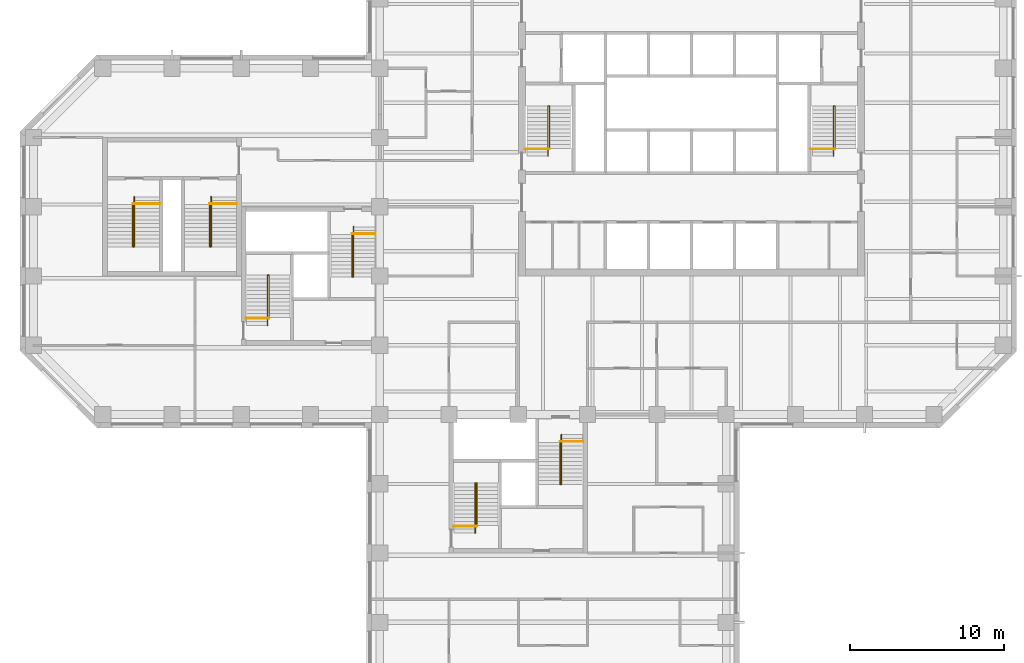
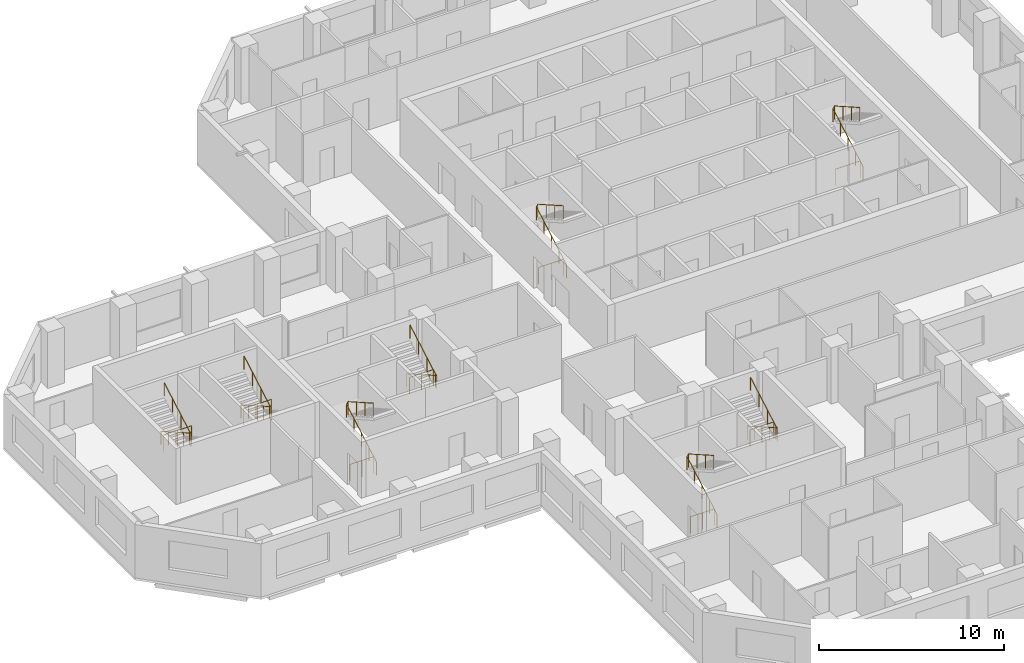
# One storey, part 11 of 11: 16 railings.
"""IFC4 building model written with IfcOpenShell, lengths in metres."""

from ifc_helpers import new_model, si_unit, direction, frame, origin, origin_2d, place, context, subcontext, project, spatial, circle, extrude, material, type_object, element, save


model = new_model("IFC4")

# Units and contexts
model_context = context("Model", 3, precision=1e-05, world=origin(), true_north=direction((0.0, 1.0)))
body_context = subcontext(model_context, "Body", "Model", "MODEL_VIEW")
ifc_project = project(units=[si_unit("LENGTHUNIT", "METRE"), si_unit("AREAUNIT", "SQUARE_METRE"), si_unit("VOLUMEUNIT", "CUBIC_METRE"), si_unit("PLANEANGLEUNIT", "RADIAN"), si_unit("MASSUNIT", "GRAM", prefix="KILO")], contexts=[model_context])

# Site, building, storey
site_placement = place(None, origin())
site = spatial("IfcSite", under=ifc_project, at=site_placement, CompositionType="ELEMENT")
building_placement = place(site_placement, origin())
building = spatial("IfcBuilding", under=site, at=building_placement, Name="Quoin Convention Tower", CompositionType="ELEMENT")
storey_placement = place(building_placement, frame((0.0, 0.0, 78.89990234375)))
storey = spatial("IfcBuildingStorey", under=building, at=storey_placement, Name="L20", CompositionType="ELEMENT", Elevation=78.89990234375)

# Railings
ifc_material = material(Name="Stainless steel", Category="steel")
railing_type_1 = type_object("IfcRailingType", Name="Stair handrail 900", PredefinedType="HANDRAIL", material=ifc_material)
railing_1_placement = place(storey_placement, frame((46.929931640625, 57.300048828125, 0.142333984375)))
element("IfcRailing", 1, at=railing_1_placement, inside=storey, type_object=railing_type_1, Name="SD1 handrail 1", PredefinedType="HANDRAIL", context=body_context, shape_type="SweptSolid", body=[
    extrude(circle(Radius=0.02392578125, at=origin_2d()), frame((0.0, 0.0, 0.8759765625), z_axis=(0.0, 0.869053504361, 0.494718108177), x_axis=(-1.0, 0.0, 0.0)), (0.0, 0.0, 1.0), 3.73974609375),
    extrude(circle(Radius=0.02392578125, at=origin_2d()), frame((0.0, 3.25, 2.72607421875), z_axis=(0.53481069233, 0.0, 0.844971906852), x_axis=(0.0, 1.0, 0.0)), (0.0, 0.0, 1.0), 0.16845703125),
    extrude(circle(Radius=0.02392578125, at=origin_2d()), frame((0.090087890625, 3.25, 2.8681640625), z_axis=(0.0, -0.869058607571, 0.494709143443), x_axis=(1.0, 0.0, 0.0)), (0.0, 0.0, 1.0), 3.164306640625),
    extrude(circle(Radius=0.02099609375, at=origin_2d()), origin(), (0.0, 0.0, 1.0), 0.851806640625),
    extrude(circle(Radius=0.02099609375, at=origin_2d()), frame((0.0, 0.8125, 0.46240234375)), (0.0, 0.0, 1.0), 0.851806640625),
    extrude(circle(Radius=0.02099609375, at=origin_2d()), frame((0.0, 1.625, 0.925048828125)), (0.0, 0.0, 1.0), 0.851806640625),
    extrude(circle(Radius=0.02099609375, at=origin_2d()), frame((0.0, 2.4375, 1.3876953125)), (0.0, 0.0, 1.0), 0.851806640625),
    extrude(circle(Radius=0.02099609375, at=origin_2d()), frame((0.0, 3.25, 1.85009765625)), (0.0, 0.0, 1.0), 0.851806640625),
    extrude(circle(Radius=0.02099609375, at=origin_2d()), frame((0.090087890625, 3.25, 1.992431640625)), (0.0, 0.0, 1.0), 0.851806640625),
    extrude(circle(Radius=0.02099609375, at=origin_2d()), frame((0.090087890625, 2.333251953125, 2.51416015625)), (0.0, 0.0, 1.0), 0.851806640625),
    extrude(circle(Radius=0.02099609375, at=origin_2d()), frame((0.090087890625, 1.416748046875, 3.0361328125)), (0.0, 0.0, 1.0), 0.851806640625),
    extrude(circle(Radius=0.02099609375, at=origin_2d()), frame((0.090087890625, 0.5, 3.557861328125)), (0.0, 0.0, 1.0), 0.851806640625),
])
railing_2_placement = place(storey_placement, frame((65.47998046875, 57.300048828125, 0.142333984375)))
element("IfcRailing", 2, at=railing_2_placement, inside=storey, type_object=railing_type_1, Name="SD2 handrail 1", PredefinedType="HANDRAIL", context=body_context, shape_type="SweptSolid", body=[
    extrude(circle(Radius=0.02392578125, at=origin_2d()), frame((0.0, 0.0, 0.8759765625), z_axis=(0.0, 0.869053504361, 0.494718108177), x_axis=(-1.0, 0.0, 0.0)), (0.0, 0.0, 1.0), 3.73974609375),
    extrude(circle(Radius=0.02392578125, at=origin_2d()), frame((0.0, 3.25, 2.72607421875), z_axis=(0.53481069233, 0.0, 0.844971906852), x_axis=(0.0, 1.0, 0.0)), (0.0, 0.0, 1.0), 0.16845703125),
    extrude(circle(Radius=0.02392578125, at=origin_2d()), frame((0.090087890625, 3.25, 2.8681640625), z_axis=(0.0, -0.869058607571, 0.494709143443), x_axis=(1.0, 0.0, 0.0)), (0.0, 0.0, 1.0), 3.164306640625),
    extrude(circle(Radius=0.02099609375, at=origin_2d()), origin(), (0.0, 0.0, 1.0), 0.851806640625),
    extrude(circle(Radius=0.02099609375, at=origin_2d()), frame((0.0, 0.8125, 0.46240234375)), (0.0, 0.0, 1.0), 0.851806640625),
    extrude(circle(Radius=0.02099609375, at=origin_2d()), frame((0.0, 1.625, 0.925048828125)), (0.0, 0.0, 1.0), 0.851806640625),
    extrude(circle(Radius=0.02099609375, at=origin_2d()), frame((0.0, 2.4375, 1.3876953125)), (0.0, 0.0, 1.0), 0.851806640625),
    extrude(circle(Radius=0.02099609375, at=origin_2d()), frame((0.0, 3.25, 1.85009765625)), (0.0, 0.0, 1.0), 0.851806640625),
    extrude(circle(Radius=0.02099609375, at=origin_2d()), frame((0.090087890625, 3.25, 1.992431640625)), (0.0, 0.0, 1.0), 0.851806640625),
    extrude(circle(Radius=0.02099609375, at=origin_2d()), frame((0.090087890625, 2.333251953125, 2.51416015625)), (0.0, 0.0, 1.0), 0.851806640625),
    extrude(circle(Radius=0.02099609375, at=origin_2d()), frame((0.090087890625, 1.416748046875, 3.0361328125)), (0.0, 0.0, 1.0), 0.851806640625),
    extrude(circle(Radius=0.02099609375, at=origin_2d()), frame((0.090087890625, 0.5, 3.557861328125)), (0.0, 0.0, 1.0), 0.851806640625),
])
railing_3_placement = place(storey_placement, frame((28.705078125, 46.300048828125, 0.142333984375)))
element("IfcRailing", 3, at=railing_3_placement, inside=storey, type_object=railing_type_1, Name="SD3 handrail 1", PredefinedType="HANDRAIL", context=body_context, shape_type="SweptSolid", body=[
    extrude(circle(Radius=0.02392578125, at=origin_2d()), frame((0.0, 0.0, 0.8759765625), z_axis=(0.0, 0.869053504361, 0.494718108177), x_axis=(-1.0, 0.0, 0.0)), (0.0, 0.0, 1.0), 3.73974609375),
    extrude(circle(Radius=0.02392578125, at=origin_2d()), frame((0.0, 3.25, 2.72607421875), z_axis=(0.533774684331, 0.0, 0.845626741753), x_axis=(0.0, 1.0, 0.0)), (0.0, 0.0, 1.0), 0.168212890625),
    extrude(circle(Radius=0.02392578125, at=origin_2d()), frame((0.08984375, 3.25, 2.8681640625), z_axis=(0.0, -0.869058607571, 0.494709143443), x_axis=(1.0, 0.0, 0.0)), (0.0, 0.0, 1.0), 3.164306640625),
    extrude(circle(Radius=0.02099609375, at=origin_2d()), origin(), (0.0, 0.0, 1.0), 0.851806640625),
    extrude(circle(Radius=0.02099609375, at=origin_2d()), frame((0.0, 0.8125, 0.46240234375)), (0.0, 0.0, 1.0), 0.851806640625),
    extrude(circle(Radius=0.02099609375, at=origin_2d()), frame((0.0, 1.625, 0.925048828125)), (0.0, 0.0, 1.0), 0.851806640625),
    extrude(circle(Radius=0.02099609375, at=origin_2d()), frame((0.0, 2.4375, 1.3876953125)), (0.0, 0.0, 1.0), 0.851806640625),
    extrude(circle(Radius=0.02099609375, at=origin_2d()), frame((0.0, 3.25, 1.85009765625)), (0.0, 0.0, 1.0), 0.851806640625),
    extrude(circle(Radius=0.02099609375, at=origin_2d()), frame((0.08984375, 3.25, 1.992431640625)), (0.0, 0.0, 1.0), 0.851806640625),
    extrude(circle(Radius=0.02099609375, at=origin_2d()), frame((0.08984375, 2.333251953125, 2.51416015625)), (0.0, 0.0, 1.0), 0.851806640625),
    extrude(circle(Radius=0.02099609375, at=origin_2d()), frame((0.08984375, 1.416748046875, 3.0361328125)), (0.0, 0.0, 1.0), 0.851806640625),
    extrude(circle(Radius=0.02099609375, at=origin_2d()), frame((0.08984375, 0.5, 3.557861328125)), (0.0, 0.0, 1.0), 0.851806640625),
])
railing_4_placement = place(storey_placement, frame((34.294921875, 52.699951171875, 0.142333984375)))
element("IfcRailing", 4, at=railing_4_placement, inside=storey, type_object=railing_type_1, Name="SD4 handrail 1", PredefinedType="HANDRAIL", context=body_context, shape_type="SweptSolid", body=[
    extrude(circle(Radius=0.02392578125, at=origin_2d()), frame((0.0, 0.0, 0.8759765625), z_axis=(0.0, -0.869053504361, 0.494718108177), x_axis=(1.0, 0.0, 0.0)), (0.0, 0.0, 1.0), 3.73974609375),
    extrude(circle(Radius=0.02392578125, at=origin_2d()), frame((0.0, -3.25, 2.72607421875), z_axis=(-0.533774684331, 0.0, 0.845626741753), x_axis=(0.0, -1.0, 0.0)), (0.0, 0.0, 1.0), 0.168212890625),
    extrude(circle(Radius=0.02392578125, at=origin_2d()), frame((-0.08984375, -3.25, 2.8681640625), z_axis=(0.0, 0.869058607571, 0.494709143443), x_axis=(-1.0, 0.0, 0.0)), (0.0, 0.0, 1.0), 3.164306640625),
    extrude(circle(Radius=0.02099609375, at=origin_2d()), origin(), (0.0, 0.0, 1.0), 0.851806640625),
    extrude(circle(Radius=0.02099609375, at=origin_2d()), frame((0.0, -0.8125, 0.46240234375)), (0.0, 0.0, 1.0), 0.851806640625),
    extrude(circle(Radius=0.02099609375, at=origin_2d()), frame((0.0, -1.625, 0.925048828125)), (0.0, 0.0, 1.0), 0.851806640625),
    extrude(circle(Radius=0.02099609375, at=origin_2d()), frame((0.0, -2.4375, 1.3876953125)), (0.0, 0.0, 1.0), 0.851806640625),
    extrude(circle(Radius=0.02099609375, at=origin_2d()), frame((0.0, -3.25, 1.85009765625)), (0.0, 0.0, 1.0), 0.851806640625),
    extrude(circle(Radius=0.02099609375, at=origin_2d()), frame((-0.08984375, -3.25, 1.992431640625)), (0.0, 0.0, 1.0), 0.851806640625),
    extrude(circle(Radius=0.02099609375, at=origin_2d()), frame((-0.08984375, -2.333251953125, 2.51416015625)), (0.0, 0.0, 1.0), 0.851806640625),
    extrude(circle(Radius=0.02099609375, at=origin_2d()), frame((-0.08984375, -1.416748046875, 3.0361328125)), (0.0, 0.0, 1.0), 0.851806640625),
    extrude(circle(Radius=0.02099609375, at=origin_2d()), frame((-0.08984375, -0.5, 3.557861328125)), (0.0, 0.0, 1.0), 0.851806640625),
])
railing_5_placement = place(storey_placement, frame((42.205078125, 32.800048828125, 0.142333984375)))
element("IfcRailing", 5, at=railing_5_placement, inside=storey, type_object=railing_type_1, Name="SD5 handrail 1", PredefinedType="HANDRAIL", context=body_context, shape_type="SweptSolid", body=[
    extrude(circle(Radius=0.02392578125, at=origin_2d()), frame((0.0, 0.0, 0.8759765625), z_axis=(0.0, 0.869053504361, 0.494718108177), x_axis=(-1.0, 0.0, 0.0)), (0.0, 0.0, 1.0), 3.73974609375),
    extrude(circle(Radius=0.02392578125, at=origin_2d()), frame((0.0, 3.25, 2.72607421875), z_axis=(0.533774684331, 0.0, 0.845626741753), x_axis=(0.0, 1.0, 0.0)), (0.0, 0.0, 1.0), 0.168212890625),
    extrude(circle(Radius=0.02392578125, at=origin_2d()), frame((0.08984375, 3.25, 2.8681640625), z_axis=(0.0, -0.869058607571, 0.494709143443), x_axis=(1.0, 0.0, 0.0)), (0.0, 0.0, 1.0), 3.164306640625),
    extrude(circle(Radius=0.02099609375, at=origin_2d()), origin(), (0.0, 0.0, 1.0), 0.851806640625),
    extrude(circle(Radius=0.02099609375, at=origin_2d()), frame((0.0, 0.8125, 0.46240234375)), (0.0, 0.0, 1.0), 0.851806640625),
    extrude(circle(Radius=0.02099609375, at=origin_2d()), frame((0.0, 1.625, 0.925048828125)), (0.0, 0.0, 1.0), 0.851806640625),
    extrude(circle(Radius=0.02099609375, at=origin_2d()), frame((0.0, 2.4375, 1.3876953125)), (0.0, 0.0, 1.0), 0.851806640625),
    extrude(circle(Radius=0.02099609375, at=origin_2d()), frame((0.0, 3.25, 1.85009765625)), (0.0, 0.0, 1.0), 0.851806640625),
    extrude(circle(Radius=0.02099609375, at=origin_2d()), frame((0.08984375, 3.25, 1.992431640625)), (0.0, 0.0, 1.0), 0.851806640625),
    extrude(circle(Radius=0.02099609375, at=origin_2d()), frame((0.08984375, 2.333251953125, 2.51416015625)), (0.0, 0.0, 1.0), 0.851806640625),
    extrude(circle(Radius=0.02099609375, at=origin_2d()), frame((0.08984375, 1.416748046875, 3.0361328125)), (0.0, 0.0, 1.0), 0.851806640625),
    extrude(circle(Radius=0.02099609375, at=origin_2d()), frame((0.08984375, 0.5, 3.557861328125)), (0.0, 0.0, 1.0), 0.851806640625),
])
railing_6_placement = place(storey_placement, frame((47.794921875, 39.199951171875, 0.142333984375)))
element("IfcRailing", 6, at=railing_6_placement, inside=storey, type_object=railing_type_1, Name="SD6 handrail 1", PredefinedType="HANDRAIL", context=body_context, shape_type="SweptSolid", body=[
    extrude(circle(Radius=0.02392578125, at=origin_2d()), frame((0.0, 0.0, 0.8759765625), z_axis=(0.0, -0.869053504361, 0.494718108177), x_axis=(1.0, 0.0, 0.0)), (0.0, 0.0, 1.0), 3.73974609375),
    extrude(circle(Radius=0.02392578125, at=origin_2d()), frame((0.0, -3.25, 2.72607421875), z_axis=(-0.533774684331, 0.0, 0.845626741753), x_axis=(0.0, -1.0, 0.0)), (0.0, 0.0, 1.0), 0.168212890625),
    extrude(circle(Radius=0.02392578125, at=origin_2d()), frame((-0.08984375, -3.25, 2.8681640625), z_axis=(0.0, 0.869058607571, 0.494709143443), x_axis=(-1.0, 0.0, 0.0)), (0.0, 0.0, 1.0), 3.164306640625),
    extrude(circle(Radius=0.02099609375, at=origin_2d()), origin(), (0.0, 0.0, 1.0), 0.851806640625),
    extrude(circle(Radius=0.02099609375, at=origin_2d()), frame((0.0, -0.8125, 0.46240234375)), (0.0, 0.0, 1.0), 0.851806640625),
    extrude(circle(Radius=0.02099609375, at=origin_2d()), frame((0.0, -1.625, 0.925048828125)), (0.0, 0.0, 1.0), 0.851806640625),
    extrude(circle(Radius=0.02099609375, at=origin_2d()), frame((0.0, -2.4375, 1.3876953125)), (0.0, 0.0, 1.0), 0.851806640625),
    extrude(circle(Radius=0.02099609375, at=origin_2d()), frame((0.0, -3.25, 1.85009765625)), (0.0, 0.0, 1.0), 0.851806640625),
    extrude(circle(Radius=0.02099609375, at=origin_2d()), frame((-0.08984375, -3.25, 1.992431640625)), (0.0, 0.0, 1.0), 0.851806640625),
    extrude(circle(Radius=0.02099609375, at=origin_2d()), frame((-0.08984375, -2.333251953125, 2.51416015625)), (0.0, 0.0, 1.0), 0.851806640625),
    extrude(circle(Radius=0.02099609375, at=origin_2d()), frame((-0.08984375, -1.416748046875, 3.0361328125)), (0.0, 0.0, 1.0), 0.851806640625),
    extrude(circle(Radius=0.02099609375, at=origin_2d()), frame((-0.08984375, -0.5, 3.557861328125)), (0.0, 0.0, 1.0), 0.851806640625),
])
railing_7_placement = place(storey_placement, frame((20.044921875, 54.64990234375, 0.142333984375)))
element("IfcRailing", 7, at=railing_7_placement, inside=storey, type_object=railing_type_1, Name="SD11 handrail 1", PredefinedType="HANDRAIL", context=body_context, shape_type="SweptSolid", body=[
    extrude(circle(Radius=0.02392578125, at=origin_2d()), frame((0.0, 0.0, 0.8759765625), z_axis=(0.0, -0.869053504361, 0.494718108177), x_axis=(1.0, 0.0, 0.0)), (0.0, 0.0, 1.0), 3.73974609375),
    extrude(circle(Radius=0.02392578125, at=origin_2d()), frame((0.0, -3.25, 2.72607421875), z_axis=(-0.533774684331, 0.0, 0.845626741753), x_axis=(0.0, -1.0, 0.0)), (0.0, 0.0, 1.0), 0.168212890625),
    extrude(circle(Radius=0.02392578125, at=origin_2d()), frame((-0.08984375, -3.25, 2.8681640625), z_axis=(0.0, 0.869058607571, 0.494709143443), x_axis=(-1.0, 0.0, 0.0)), (0.0, 0.0, 1.0), 3.164306640625),
    extrude(circle(Radius=0.02099609375, at=origin_2d()), origin(), (0.0, 0.0, 1.0), 0.851806640625),
    extrude(circle(Radius=0.02099609375, at=origin_2d()), frame((0.0, -0.8125, 0.46240234375)), (0.0, 0.0, 1.0), 0.851806640625),
    extrude(circle(Radius=0.02099609375, at=origin_2d()), frame((0.0, -1.625, 0.925048828125)), (0.0, 0.0, 1.0), 0.851806640625),
    extrude(circle(Radius=0.02099609375, at=origin_2d()), frame((0.0, -2.4375, 1.3876953125)), (0.0, 0.0, 1.0), 0.851806640625),
    extrude(circle(Radius=0.02099609375, at=origin_2d()), frame((0.0, -3.25, 1.85009765625)), (0.0, 0.0, 1.0), 0.851806640625),
    extrude(circle(Radius=0.02099609375, at=origin_2d()), frame((-0.08984375, -3.25, 1.992431640625)), (0.0, 0.0, 1.0), 0.851806640625),
    extrude(circle(Radius=0.02099609375, at=origin_2d()), frame((-0.08984375, -2.333251953125, 2.51416015625)), (0.0, 0.0, 1.0), 0.851806640625),
    extrude(circle(Radius=0.02099609375, at=origin_2d()), frame((-0.08984375, -1.416748046875, 3.0361328125)), (0.0, 0.0, 1.0), 0.851806640625),
    extrude(circle(Radius=0.02099609375, at=origin_2d()), frame((-0.08984375, -0.5, 3.557861328125)), (0.0, 0.0, 1.0), 0.851806640625),
])
railing_8_placement = place(storey_placement, frame((25.044921875, 54.64990234375, 0.142333984375)))
element("IfcRailing", 8, at=railing_8_placement, inside=storey, type_object=railing_type_1, Name="SD12 handrail 1", PredefinedType="HANDRAIL", context=body_context, shape_type="SweptSolid", body=[
    extrude(circle(Radius=0.02392578125, at=origin_2d()), frame((0.0, 0.0, 0.8759765625), z_axis=(0.0, -0.869053504361, 0.494718108177), x_axis=(1.0, 0.0, 0.0)), (0.0, 0.0, 1.0), 3.73974609375),
    extrude(circle(Radius=0.02392578125, at=origin_2d()), frame((0.0, -3.25, 2.72607421875), z_axis=(-0.533774684331, 0.0, 0.845626741753), x_axis=(0.0, -1.0, 0.0)), (0.0, 0.0, 1.0), 0.168212890625),
    extrude(circle(Radius=0.02392578125, at=origin_2d()), frame((-0.08984375, -3.25, 2.8681640625), z_axis=(0.0, 0.869058607571, 0.494709143443), x_axis=(-1.0, 0.0, 0.0)), (0.0, 0.0, 1.0), 3.164306640625),
    extrude(circle(Radius=0.02099609375, at=origin_2d()), origin(), (0.0, 0.0, 1.0), 0.851806640625),
    extrude(circle(Radius=0.02099609375, at=origin_2d()), frame((0.0, -0.8125, 0.46240234375)), (0.0, 0.0, 1.0), 0.851806640625),
    extrude(circle(Radius=0.02099609375, at=origin_2d()), frame((0.0, -1.625, 0.925048828125)), (0.0, 0.0, 1.0), 0.851806640625),
    extrude(circle(Radius=0.02099609375, at=origin_2d()), frame((0.0, -2.4375, 1.3876953125)), (0.0, 0.0, 1.0), 0.851806640625),
    extrude(circle(Radius=0.02099609375, at=origin_2d()), frame((0.0, -3.25, 1.85009765625)), (0.0, 0.0, 1.0), 0.851806640625),
    extrude(circle(Radius=0.02099609375, at=origin_2d()), frame((-0.08984375, -3.25, 1.992431640625)), (0.0, 0.0, 1.0), 0.851806640625),
    extrude(circle(Radius=0.02099609375, at=origin_2d()), frame((-0.08984375, -2.333251953125, 2.51416015625)), (0.0, 0.0, 1.0), 0.851806640625),
    extrude(circle(Radius=0.02099609375, at=origin_2d()), frame((-0.08984375, -1.416748046875, 3.0361328125)), (0.0, 0.0, 1.0), 0.851806640625),
    extrude(circle(Radius=0.02099609375, at=origin_2d()), frame((-0.08984375, -0.5, 3.557861328125)), (0.0, 0.0, 1.0), 0.851806640625),
])
railing_type_2 = type_object("IfcRailingType", Name="Stair top guard 1100", PredefinedType="GUARDRAIL", material=ifc_material)
for number, where, name in (
    (9, (45.449951171875, 57.75, 0.0), "SD1 top guard"),
    (10, (64.0, 57.75, 0.0), "SD2 top guard"),
):
    element("IfcRailing", number, at=place(storey_placement, frame(where)), inside=storey, type_object=railing_type_2, Name=name, PredefinedType="GUARDRAIL", context=body_context, shape_type="SweptSolid", body=[
        extrude(circle(Radius=0.02392578125, at=origin_2d()), frame((0.0, 0.0, 1.076171875), z_axis=(1.0, 0.0, 0.0), x_axis=(0.0, 1.0, 0.0)), (0.0, 0.0, 1.0), 1.570068359375),
        extrude(circle(Radius=0.02099609375, at=origin_2d()), origin(), (0.0, 0.0, 1.0), 1.052001953125),
        extrude(circle(Radius=0.02099609375, at=origin_2d()), frame((0.78515625, 0.0, 0.0)), (0.0, 0.0, 1.0), 1.052001953125),
        extrude(circle(Radius=0.02099609375, at=origin_2d()), frame((1.570068359375, 0.0, 0.0)), (0.0, 0.0, 1.0), 1.052001953125),
    ])
railing_9_placement = place(storey_placement, frame((27.300048828125, 46.75, 0.0)))
element("IfcRailing", 11, at=railing_9_placement, inside=storey, type_object=railing_type_2, Name="SD3 top guard", PredefinedType="GUARDRAIL", context=body_context, shape_type="SweptSolid", body=[
    extrude(circle(Radius=0.02392578125, at=origin_2d()), frame((0.0, 0.0, 1.076171875), z_axis=(1.0, 0.0, 0.0), x_axis=(0.0, 1.0, 0.0)), (0.0, 0.0, 1.0), 1.494873046875),
    extrude(circle(Radius=0.02099609375, at=origin_2d()), origin(), (0.0, 0.0, 1.0), 1.052001953125),
    extrude(circle(Radius=0.02099609375, at=origin_2d()), frame((0.74755859375, 0.0, 0.0)), (0.0, 0.0, 1.0), 1.052001953125),
    extrude(circle(Radius=0.02099609375, at=origin_2d()), frame((1.494873046875, 0.0, 0.0)), (0.0, 0.0, 1.0), 1.052001953125),
])
railing_10_placement = place(storey_placement, frame((35.699951171875, 52.25, 0.0)))
element("IfcRailing", 12, at=railing_10_placement, inside=storey, type_object=railing_type_2, Name="SD4 top guard", PredefinedType="GUARDRAIL", context=body_context, shape_type="SweptSolid", body=[
    extrude(circle(Radius=0.02392578125, at=origin_2d()), frame((0.0, 0.0, 1.076171875), z_axis=(-1.0, 0.0, 0.0), x_axis=(0.0, -1.0, 0.0)), (0.0, 0.0, 1.0), 1.494873046875),
    extrude(circle(Radius=0.02099609375, at=origin_2d()), origin(), (0.0, 0.0, 1.0), 1.052001953125),
    extrude(circle(Radius=0.02099609375, at=origin_2d()), frame((-0.74755859375, 0.0, 0.0)), (0.0, 0.0, 1.0), 1.052001953125),
    extrude(circle(Radius=0.02099609375, at=origin_2d()), frame((-1.494873046875, 0.0, 0.0)), (0.0, 0.0, 1.0), 1.052001953125),
])
railing_11_placement = place(storey_placement, frame((40.800048828125, 33.25, 0.0)))
element("IfcRailing", 13, at=railing_11_placement, inside=storey, type_object=railing_type_2, Name="SD5 top guard", PredefinedType="GUARDRAIL", context=body_context, shape_type="SweptSolid", body=[
    extrude(circle(Radius=0.02392578125, at=origin_2d()), frame((0.0, 0.0, 1.076171875), z_axis=(1.0, 0.0, 0.0), x_axis=(0.0, 1.0, 0.0)), (0.0, 0.0, 1.0), 1.494873046875),
    extrude(circle(Radius=0.02099609375, at=origin_2d()), origin(), (0.0, 0.0, 1.0), 1.052001953125),
    extrude(circle(Radius=0.02099609375, at=origin_2d()), frame((0.74755859375, 0.0, 0.0)), (0.0, 0.0, 1.0), 1.052001953125),
    extrude(circle(Radius=0.02099609375, at=origin_2d()), frame((1.494873046875, 0.0, 0.0)), (0.0, 0.0, 1.0), 1.052001953125),
])
railing_12_placement = place(storey_placement, frame((49.199951171875, 38.75, 0.0)))
element("IfcRailing", 14, at=railing_12_placement, inside=storey, type_object=railing_type_2, Name="SD6 top guard", PredefinedType="GUARDRAIL", context=body_context, shape_type="SweptSolid", body=[
    extrude(circle(Radius=0.02392578125, at=origin_2d()), frame((0.0, 0.0, 1.076171875), z_axis=(-1.0, 0.0, 0.0), x_axis=(0.0, -1.0, 0.0)), (0.0, 0.0, 1.0), 1.494873046875),
    extrude(circle(Radius=0.02099609375, at=origin_2d()), origin(), (0.0, 0.0, 1.0), 1.052001953125),
    extrude(circle(Radius=0.02099609375, at=origin_2d()), frame((-0.74755859375, 0.0, 0.0)), (0.0, 0.0, 1.0), 1.052001953125),
    extrude(circle(Radius=0.02099609375, at=origin_2d()), frame((-1.494873046875, 0.0, 0.0)), (0.0, 0.0, 1.0), 1.052001953125),
])
for number, where, name in (
    (15, (21.699951171875, 54.199951171875, 0.0), "SD11 top guard"),
    (16, (26.699951171875, 54.199951171875, 0.0), "SD12 top guard"),
):
    element("IfcRailing", number, at=place(storey_placement, frame(where)), inside=storey, type_object=railing_type_2, Name=name, PredefinedType="GUARDRAIL", context=body_context, shape_type="SweptSolid", body=[
        extrude(circle(Radius=0.02392578125, at=origin_2d()), frame((0.0, 0.0, 1.076171875), z_axis=(-1.0, 0.0, 0.0), x_axis=(0.0, -1.0, 0.0)), (0.0, 0.0, 1.0), 1.744873046875),
        extrude(circle(Radius=0.02099609375, at=origin_2d()), origin(), (0.0, 0.0, 1.0), 1.052001953125),
        extrude(circle(Radius=0.02099609375, at=origin_2d()), frame((-0.87255859375, 0.0, 0.0)), (0.0, 0.0, 1.0), 1.052001953125),
        extrude(circle(Radius=0.02099609375, at=origin_2d()), frame((-1.744873046875, 0.0, 0.0)), (0.0, 0.0, 1.0), 1.052001953125),
    ])

save(model, "model.ifc")
